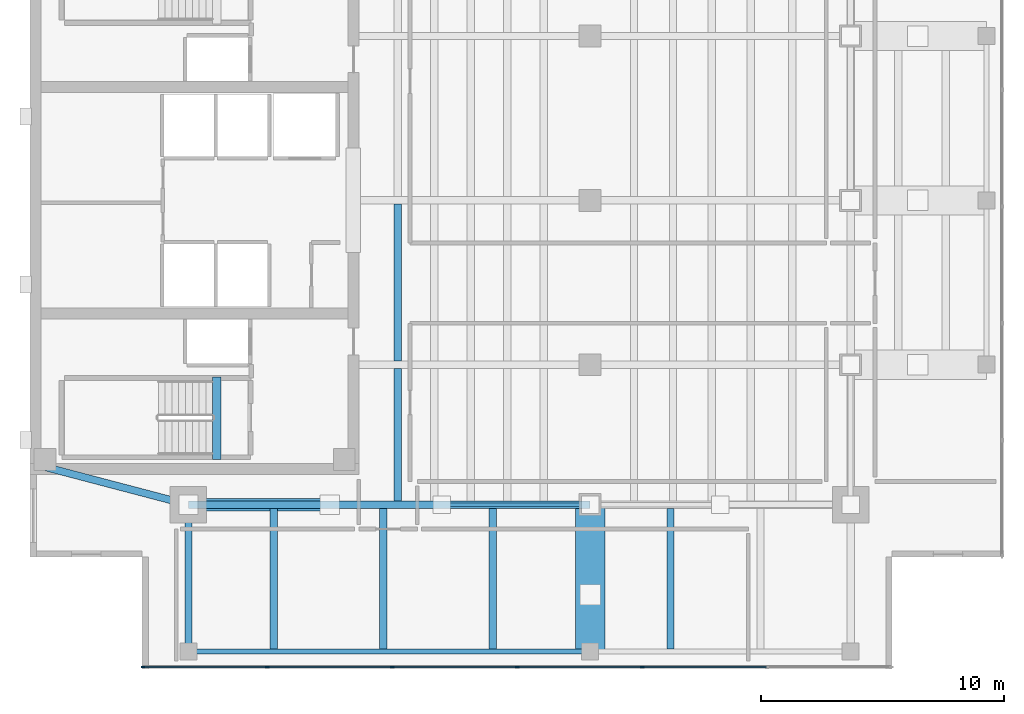
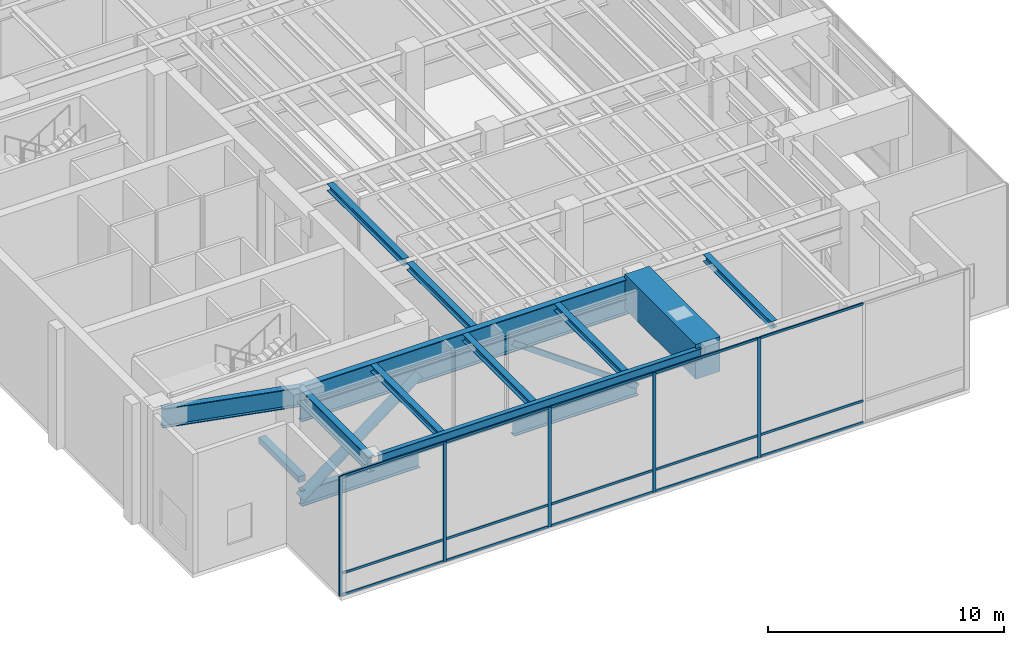
# One storey, part 2 of 11: 25 members, 12 beams, 1 element without a shape of its own.
"""IFC4 building model written with IfcOpenShell, lengths in metres."""

import ifcopenshell
import ifcopenshell.guid

model = None  # the IFC model being written
_history = None  # IfcOwnerHistory: only IFC2X3 demands one
_inside = {}  # id of a spatial element -> (the spatial element, [elements in it])
_under = {}  # id of a project, library or spatial element -> (it, [spatial elements below it])
_declared = {}  # id of a project -> (the project, [libraries it declares])
_typed = {}  # id of a type object -> (the type object, [elements of that type])
_made_of = {}  # id of a material, layer set ... -> (it, [elements and type objects made of it])


def new_model(schema):
    """Start an empty IFC model of exactly this schema.

    Asked for "IFC4X3", IfcOpenShell would pick the latest addendum, in which some entities
    have other attributes; the version numbers below select the first issue.
    IFC2X3 requires an IfcOwnerHistory on every rooted entity: one is made here for all.
    """
    global model, _history
    if schema == "IFC4X3":
        model = ifcopenshell.file(schema_version=(4, 3, 0, 0))
    else:
        model = ifcopenshell.file(schema=schema)
    _inside.clear()
    _under.clear()
    _declared.clear()
    _typed.clear()
    _made_of.clear()
    _history = None
    if model.schema == "IFC2X3":
        org = make("IfcOrganization", Name="unknown")
        user = make(
            "IfcPersonAndOrganization",
            ThePerson=make("IfcPerson", FamilyName="unknown"),
            TheOrganization=org,
        )
        app = make(
            "IfcApplication",
            ApplicationDeveloper=org,
            Version="unknown",
            ApplicationFullName="unknown",
            ApplicationIdentifier="unknown",
        )
        _history = make(
            "IfcOwnerHistory",
            OwningUser=user,
            OwningApplication=app,
            ChangeAction="ADDED",
            CreationDate=0,
        )
    return model


def make(cls, **values):
    """One entity of the class cls with the attributes given. An attribute that is None is left unset."""
    return model.create_entity(
        cls, **{name: value for name, value in values.items() if value is not None}
    )


def rooted(cls, **values):
    """An entity with a GlobalId (a new one), such as an element, a storey or a relation."""
    return make(cls, GlobalId=ifcopenshell.guid.new(), OwnerHistory=_history, **values)


def si_unit(unit_type, name, prefix=None):
    """IfcSIUnit, for example si_unit("LENGTHUNIT", "METRE", prefix="MILLI")."""
    return make("IfcSIUnit", UnitType=unit_type, Prefix=prefix, Name=name)


def assignment(units):
    """IfcUnitAssignment: the units of a project."""
    return None if units is None else make("IfcUnitAssignment", Units=units)


def point(xyz):
    """IfcCartesianPoint."""
    return None if xyz is None else make("IfcCartesianPoint", Coordinates=xyz)


def direction(xyz):
    """IfcDirection."""
    return None if xyz is None else make("IfcDirection", DirectionRatios=xyz)


def frame(location, z_axis=None, x_axis=None):
    """IfcAxis2Placement3D, a coordinate frame: its origin and axes. An axis left out is left unset."""
    return make(
        "IfcAxis2Placement3D",
        Location=point(location),
        Axis=direction(z_axis),
        RefDirection=direction(x_axis),
    )


def frame_2d(location, x_axis=None):
    """IfcAxis2Placement2D, a coordinate frame in the plane: its origin and x axis."""
    return make(
        "IfcAxis2Placement2D", Location=point(location), RefDirection=direction(x_axis)
    )


def origin():
    """The frame at (0, 0, 0) with its axes left unset."""
    return frame((0.0, 0.0, 0.0))


def origin_2d():
    """The frame at (0, 0) in the plane with its x axis left unset."""
    return frame_2d((0.0, 0.0))


def place(relative_to, where):
    """IfcLocalPlacement: puts the frame where relative to a parent placement (None: the world)."""
    return make(
        "IfcLocalPlacement", PlacementRelTo=relative_to, RelativePlacement=where
    )


def context(
    kind, dimensions, precision=None, world=None, true_north=None, identifier=None
):
    """IfcGeometricRepresentationContext, for example the 3D "Model" context."""
    return make(
        "IfcGeometricRepresentationContext",
        ContextIdentifier=identifier,
        ContextType=kind,
        CoordinateSpaceDimension=dimensions,
        Precision=precision,
        WorldCoordinateSystem=world,
        TrueNorth=true_north,
    )


def subcontext(parent, identifier, kind, view, scale=None):
    """IfcGeometricRepresentationSubContext, for example "Body" below "Model"."""
    return make(
        "IfcGeometricRepresentationSubContext",
        ContextIdentifier=identifier,
        ContextType=kind,
        ParentContext=parent,
        TargetScale=scale,
        TargetView=view,
    )


def project(units=None, contexts=None):
    """IfcProject with its units and contexts."""
    return rooted(
        "IfcProject",
        Name="project",
        RepresentationContexts=contexts,
        UnitsInContext=assignment(units),
    )


def spatial(cls, under=None, at=None, **own):
    """A site, building, storey or space (cls), placed at a placement, below another one or the project."""
    s = rooted(cls, ObjectPlacement=at, **own)
    if under is not None:
        _under.setdefault(under.id(), (under, []))[1].append(s)
    return s


def profile(cls, at=None, kind="AREA", **sizes):
    """A parametric profile (cls). Its sizes go by their IFC names, for example OverallWidth=200.0."""
    return make(cls, ProfileType=kind, Position=at, **sizes)


def rectangle(**sizes):
    """IfcRectangleProfileDef."""
    return profile("IfcRectangleProfileDef", **sizes)


def hollow_rectangle(**sizes):
    """IfcRectangleHollowProfileDef."""
    return profile("IfcRectangleHollowProfileDef", **sizes)


def hollow_circle(**sizes):
    """IfcCircleHollowProfileDef."""
    return profile("IfcCircleHollowProfileDef", **sizes)


def i_section(**sizes):
    """IfcIShapeProfileDef."""
    return profile("IfcIShapeProfileDef", **sizes)


def extrude(swept, where, along, depth):
    """IfcExtrudedAreaSolid: the profile swept, set in the frame where, extruded along a direction by depth."""
    return make(
        "IfcExtrudedAreaSolid",
        SweptArea=swept,
        Position=where,
        ExtrudedDirection=direction(along),
        Depth=depth,
    )


def shape(context_of_items, identifier, shape_type, items):
    """IfcShapeRepresentation: the items that make up one representation, for example the "Body"."""
    return make(
        "IfcShapeRepresentation",
        ContextOfItems=context_of_items,
        RepresentationIdentifier=identifier,
        RepresentationType=shape_type,
        Items=items,
    )


def material(Name=None, Category=None):
    """IfcMaterial."""
    return make("IfcMaterial", Name=Name, Category=Category)


def layer(
    of_material, thickness, ventilated=None, Name=None, Category=None, Priority=None
):
    """IfcMaterialLayer: one layer of a wall or slab, of a material (None: an air gap)."""
    return make(
        "IfcMaterialLayer",
        Material=of_material,
        LayerThickness=thickness,
        IsVentilated=ventilated,
        Name=Name,
        Category=Category,
        Priority=Priority,
    )


def layer_set(layers, Name=None):
    """IfcMaterialLayerSet."""
    return make("IfcMaterialLayerSet", MaterialLayers=layers, LayerSetName=Name)


def material_profile(
    of_material, cross_section, Name=None, Category=None, Priority=None
):
    """IfcMaterialProfile: a cross section and its material."""
    return make(
        "IfcMaterialProfile",
        Name=Name,
        Material=of_material,
        Profile=cross_section,
        Priority=Priority,
        Category=Category,
    )


def profile_set(profiles, Name=None, composite=None):
    """IfcMaterialProfileSet."""
    return make(
        "IfcMaterialProfileSet",
        Name=Name,
        MaterialProfiles=profiles,
        CompositeProfile=composite,
    )


def made_of(thing, what):
    """Note that an element or type object is made of a material, layer set ...; save() writes the relation."""
    if what is not None:
        _made_of.setdefault(what.id(), (what, []))[1].append(thing)
    return thing


def type_object(cls, material=None, **own):
    """A type object (cls), such as IfcWallType, which elements share."""
    return made_of(rooted(cls, **own), material)


def element(
    cls,
    number,
    at=None,
    inside=None,
    cuts=None,
    type_object=None,
    material=None,
    context=None,
    identifier="Body",
    shape_type=None,
    held_by="IfcProductDefinitionShape",
    body=None,
    shapes=None,
    **own,
):
    """One element of the class cls, such as IfcWall. Its Tag is "e" and its number.

    at: its placement. inside: the storey or other place that contains it. cuts: it is an
    opening in that element (IfcRelVoidsElement). A single representation is given by context,
    identifier, shape_type and body (its items); several are given by shapes. held_by: the class
    of the entity that holds the representations. save() writes the other relations.
    """
    e = rooted(cls, Tag="e%d" % number, ObjectPlacement=at, **own)
    if body is not None:
        shapes = [shape(context, identifier, shape_type, body)]
    if shapes is not None:
        e.Representation = make(held_by, Representations=shapes)
    if inside is not None:
        _inside.setdefault(inside.id(), (inside, []))[1].append(e)
    if cuts is not None:
        rooted(
            "IfcRelVoidsElement", RelatingBuildingElement=cuts, RelatedOpeningElement=e
        )
    if type_object is not None:
        _typed.setdefault(type_object.id(), (type_object, []))[1].append(e)
    return made_of(e, material)


def aggregate(whole, parts):
    """IfcRelAggregates: a whole, such as a stair, and the parts it consists of."""
    return rooted("IfcRelAggregates", RelatingObject=whole, RelatedObjects=parts)


def save(model, path):
    """Write the relations noted so far, then the file.

    IfcRelAggregates (storeys below a building ...), IfcRelContainedInSpatialStructure (elements
    in a storey), IfcRelDefinesByType, IfcRelAssociatesMaterial and IfcRelDeclares: one each for
    every whole, place, type object, material and project.
    """
    for whole, parts in _under.values():
        aggregate(whole, parts)
    for where, things in _inside.values():
        rooted(
            "IfcRelContainedInSpatialStructure",
            RelatedElements=things,
            RelatingStructure=where,
        )
    for kind, things in _typed.values():
        rooted("IfcRelDefinesByType", RelatedObjects=things, RelatingType=kind)
    for what, things in _made_of.values():
        rooted("IfcRelAssociatesMaterial", RelatedObjects=things, RelatingMaterial=what)
    for by, libraries in _declared.values():
        rooted("IfcRelDeclares", RelatingContext=by, RelatedDefinitions=libraries)
    model.write(path)


model = new_model("IFC4")

# Units and contexts
model_context = context("Model", 3, precision=1e-05, world=origin(), true_north=direction((0.0, 1.0)))
body_context = subcontext(model_context, "Body", "Model", "MODEL_VIEW")
ifc_project = project(units=[si_unit("LENGTHUNIT", "METRE"), si_unit("AREAUNIT", "SQUARE_METRE"), si_unit("VOLUMEUNIT", "CUBIC_METRE"), si_unit("PLANEANGLEUNIT", "RADIAN"), si_unit("MASSUNIT", "GRAM", prefix="KILO")], contexts=[model_context])

# Site, building, storey
site_placement = place(None, origin())
site = spatial("IfcSite", under=ifc_project, at=site_placement, CompositionType="ELEMENT")
building_placement = place(site_placement, origin())
building = spatial("IfcBuilding", under=site, at=building_placement, Name="Kinhvarn Gate Tower", CompositionType="ELEMENT")
storey_placement = place(building_placement, frame((0.0, 0.0, 296.64990234375)))
storey = spatial("IfcBuildingStorey", under=building, at=storey_placement, Name="L79", CompositionType="ELEMENT", Elevation=296.64990234375)

# Beams
ifc_material_1 = material(Name="Steel S355", Category="steel")
ifc_material_profile_1 = material_profile(ifc_material_1, i_section(OverallWidth=0.300048828125, OverallDepth=1.0, WebThickness=0.01904296875, FlangeThickness=0.035888671875, at=origin_2d()), Name="HEB 1000")
ifc_profile_set_1 = profile_set([ifc_material_profile_1], Name="Steel S355")
beam_type_1 = type_object("IfcBeamType", Name="BM-HEB1000", PredefinedType="BEAM", material=ifc_profile_set_1)
beam_1_placement = place(storey_placement, frame((11.0, 12.75, 5.7001953125), z_axis=(1.0, 0.0, 0.0), x_axis=(0.0, 1.0, 0.0)))
element("IfcBeam", 1, at=beam_1_placement, inside=storey, type_object=beam_type_1, Name="Floor Beam HG-21 (L79 MG-S1)", PredefinedType="BEAM", context=body_context, shape_type="SweptSolid", body=[
    extrude(i_section(OverallWidth=0.300048828125, OverallDepth=1.0, WebThickness=0.01904296875, FlangeThickness=0.035888671875, at=origin_2d()), origin(), (0.0, 0.0, 1.0), 16.5),
])
beam_2_placement = place(storey_placement, frame((5.10009765625, 14.300048828125, 5.7001953125), z_axis=(0.967177623957, -0.254101246979, 0.0), x_axis=(0.254101246979, 0.967177623957, 0.0)))
element("IfcBeam", 2, at=beam_2_placement, inside=storey, type_object=beam_type_1, Name="Floor Beam HG-21 (L79 MG-SW-DIAG)", PredefinedType="BEAM", context=body_context, shape_type="SweptSolid", body=[
    extrude(i_section(OverallWidth=0.300048828125, OverallDepth=1.0, WebThickness=0.01904296875, FlangeThickness=0.035888671875, at=origin_2d()), origin(), (0.0, 0.0, 1.0), 6.10009765625),
])
ifc_material_profile_2 = material_profile(ifc_material_1, i_section(OverallWidth=0.302978515625, OverallDepth=0.81396484375, WebThickness=0.02099609375, FlangeThickness=0.0400390625, at=origin_2d()), Name="HEM 800")
ifc_profile_set_2 = profile_set([ifc_material_profile_2], Name="Steel S355")
beam_type_2 = type_object("IfcBeamType", Name="BM-HEM800", PredefinedType="BEAM", material=ifc_profile_set_2)
beam_3_placement = place(storey_placement, frame((11.0, 6.719970703125, 5.793212890625), z_axis=(0.0, 1.0, 0.0), x_axis=(-1.0, 0.0, 0.0)))
element("IfcBeam", 3, at=beam_3_placement, inside=storey, type_object=beam_type_2, Name="Floor Beam HG-22 (L79 MCW-S)", PredefinedType="BEAM", context=body_context, shape_type="SweptSolid", body=[
    extrude(i_section(OverallWidth=0.302978515625, OverallDepth=0.81396484375, WebThickness=0.02099609375, FlangeThickness=0.0400390625, at=origin_2d()), origin(), (0.0, 0.0, 1.0), 6.030029296875),
])
ifc_material_2 = material(Name="Concrete C50/60", Category="concrete")
ifc_material_profile_3 = material_profile(ifc_material_2, rectangle(XDim=0.340087890625, YDim=0.320068359375, at=origin_2d()), Name="RC 340x320")
ifc_profile_set_3 = profile_set([ifc_material_profile_3], Name="Concrete C50/60")
beam_type_3 = type_object("IfcBeamType", Name="BM-LND-500", PredefinedType="BEAM", material=ifc_profile_set_3)
beam_4_placement = place(storey_placement, frame((12.1650390625, 14.60009765625, -0.159912109375), z_axis=(0.0, 1.0, 0.0), x_axis=(-1.0, 0.0, 0.0)))
element("IfcBeam", 4, at=beam_4_placement, inside=storey, type_object=beam_type_3, Name="Stair ST1 Landing Nosing Beam (L79)", PredefinedType="BEAM", context=body_context, shape_type="SweptSolid", body=[
    extrude(rectangle(XDim=0.340087890625, YDim=0.320068359375, at=origin_2d()), origin(), (0.0, 0.0, 1.0), 3.39990234375),
])
ifc_material_profile_4 = material_profile(ifc_material_2, rectangle(XDim=1.199951171875, YDim=1.800048828125, at=origin_2d()), Name="RC 1200x1800")
ifc_profile_set_4 = profile_set([ifc_material_profile_4], Name="Concrete C50/60")
beam_type_4 = type_object("IfcBeamType", Name="BM-TG-1800", PredefinedType="BEAM", material=ifc_profile_set_4)
beam_5_placement = place(storey_placement, frame((27.5, 6.719970703125, 5.5), z_axis=(0.0, 1.0, 0.0), x_axis=(-1.0, 0.0, 0.0)))
element("IfcBeam", 5, at=beam_5_placement, inside=storey, type_object=beam_type_4, Name="Setback Transfer Girder TG-03-L80-CCR-S1", PredefinedType="BEAM", context=body_context, shape_type="SweptSolid", body=[
    extrude(rectangle(XDim=1.199951171875, YDim=1.800048828125, at=origin_2d()), origin(), (0.0, 0.0, 1.0), 6.030029296875),
])

# Curtain wall, members
ifc_material_3 = material(Name="Anodised aluminium AW-6063", Category="aluminium")
ifc_layer = layer(ifc_material_3, 0.199951171875)
ifc_layer_set = layer_set([ifc_layer], Name="Anodised aluminium AW-6063")
curtain_wall_type = type_object("IfcCurtainWallType", Name="CW-SYS-6", PredefinedType="NOTDEFINED", material=ifc_layer_set)
curtain_wall_placement = place(storey_placement, origin())
curtain_wall = element("IfcCurtainWall", 6, at=curtain_wall_placement, inside=storey, type_object=curtain_wall_type, Name="Curtain Wall CW6 (L79)", PredefinedType="NOTDEFINED")
ifc_material_profile_5 = material_profile(ifc_material_3, rectangle(XDim=0.06494140625, YDim=0.159912109375, at=origin_2d()), Name="ALU 65x160")
ifc_profile_set_5 = profile_set([ifc_material_profile_5], Name="Anodised aluminium AW-6063")
member_type_1 = type_object("IfcMemberType", Name="CW-MUL-160", PredefinedType="MULLION", material=ifc_profile_set_5)
member_1_placement = place(storey_placement, frame((9.132568359375, 6.090087890625, 0.0), z_axis=(0.0, 0.0, 1.0), x_axis=(0.0, 1.0, 0.0)))
member_1 = element("IfcMember", 7, at=member_1_placement, type_object=member_type_1, Name="CW6 mullion 1", PredefinedType="MULLION", context=body_context, shape_type="SweptSolid", body=[
    extrude(rectangle(XDim=0.06494140625, YDim=0.159912109375, at=origin_2d()), origin(), (0.0, 0.0, 1.0), 6.2001953125),
])
member_2_placement = place(storey_placement, frame((14.2333984375, 6.090087890625, 0.0), z_axis=(0.0, 0.0, 1.0), x_axis=(0.0, 1.0, 0.0)))
member_2 = element("IfcMember", 8, at=member_2_placement, type_object=member_type_1, Name="CW6 mullion 2", PredefinedType="MULLION", context=body_context, shape_type="SweptSolid", body=[
    extrude(rectangle(XDim=0.06494140625, YDim=0.159912109375, at=origin_2d()), origin(), (0.0, 0.0, 1.0), 6.2001953125),
])
member_3_placement = place(storey_placement, frame((19.36669921875, 6.090087890625, 0.0), z_axis=(0.0, 0.0, 1.0), x_axis=(0.0, 1.0, 0.0)))
member_3 = element("IfcMember", 9, at=member_3_placement, type_object=member_type_1, Name="CW6 mullion 3", PredefinedType="MULLION", context=body_context, shape_type="SweptSolid", body=[
    extrude(rectangle(XDim=0.06494140625, YDim=0.159912109375, at=origin_2d()), origin(), (0.0, 0.0, 1.0), 6.2001953125),
])
member_4_placement = place(storey_placement, frame((24.5, 6.090087890625, 0.0), z_axis=(0.0, 0.0, 1.0), x_axis=(0.0, 1.0, 0.0)))
member_4 = element("IfcMember", 10, at=member_4_placement, type_object=member_type_1, Name="CW6 mullion 4", PredefinedType="MULLION", context=body_context, shape_type="SweptSolid", body=[
    extrude(rectangle(XDim=0.06494140625, YDim=0.159912109375, at=origin_2d()), origin(), (0.0, 0.0, 1.0), 6.2001953125),
])
member_5_placement = place(storey_placement, frame((29.63330078125, 6.090087890625, 0.0), z_axis=(0.0, 0.0, 1.0), x_axis=(0.0, 1.0, 0.0)))
member_5 = element("IfcMember", 11, at=member_5_placement, type_object=member_type_1, Name="CW6 mullion 5", PredefinedType="MULLION", context=body_context, shape_type="SweptSolid", body=[
    extrude(rectangle(XDim=0.06494140625, YDim=0.159912109375, at=origin_2d()), origin(), (0.0, 0.0, 1.0), 6.2001953125),
])
ifc_material_profile_6 = material_profile(ifc_material_3, rectangle(XDim=0.06494140625, YDim=0.1201171875, at=origin_2d()), Name="ALU 65x120")
ifc_profile_set_6 = profile_set([ifc_material_profile_6], Name="Anodised aluminium AW-6063")
member_type_2 = type_object("IfcMemberType", Name="CW-TRN-120", PredefinedType="USERDEFINED", material=ifc_profile_set_6)
member_6_placement = place(storey_placement, frame((9.1650390625, 6.090087890625, 0.03271484375), z_axis=(1.0, 0.0, 0.0), x_axis=(0.0, 1.0, 0.0)))
member_6 = element("IfcMember", 12, at=member_6_placement, type_object=member_type_2, Name="CW6 transom 1.1", ObjectType="TRANSOM", PredefinedType="USERDEFINED", context=body_context, shape_type="SweptSolid", body=[
    extrude(rectangle(XDim=0.06494140625, YDim=0.1201171875, at=origin_2d()), origin(), (0.0, 0.0, 1.0), 5.035888671875),
])
member_7_placement = place(storey_placement, frame((9.1650390625, 6.090087890625, 1.150146484375), z_axis=(1.0, 0.0, 0.0), x_axis=(0.0, 1.0, 0.0)))
member_7 = element("IfcMember", 13, at=member_7_placement, type_object=member_type_2, Name="CW6 transom 1.2", ObjectType="TRANSOM", PredefinedType="USERDEFINED", context=body_context, shape_type="SweptSolid", body=[
    extrude(rectangle(XDim=0.06494140625, YDim=0.1201171875, at=origin_2d()), origin(), (0.0, 0.0, 1.0), 5.035888671875),
])
member_8_placement = place(storey_placement, frame((9.1650390625, 6.090087890625, 6.16748046875), z_axis=(1.0, 0.0, 0.0), x_axis=(0.0, 1.0, 0.0)))
member_8 = element("IfcMember", 14, at=member_8_placement, type_object=member_type_2, Name="CW6 transom 1.3", ObjectType="TRANSOM", PredefinedType="USERDEFINED", context=body_context, shape_type="SweptSolid", body=[
    extrude(rectangle(XDim=0.06494140625, YDim=0.1201171875, at=origin_2d()), origin(), (0.0, 0.0, 1.0), 5.035888671875),
])
member_9_placement = place(storey_placement, frame((14.265869140625, 6.090087890625, 0.03271484375), z_axis=(1.0, 0.0, 0.0), x_axis=(0.0, 1.0, 0.0)))
member_9 = element("IfcMember", 15, at=member_9_placement, type_object=member_type_2, Name="CW6 transom 2.1", ObjectType="TRANSOM", PredefinedType="USERDEFINED", context=body_context, shape_type="SweptSolid", body=[
    extrude(rectangle(XDim=0.06494140625, YDim=0.1201171875, at=origin_2d()), origin(), (0.0, 0.0, 1.0), 5.068359375),
])
member_10_placement = place(storey_placement, frame((14.265869140625, 6.090087890625, 1.150146484375), z_axis=(1.0, 0.0, 0.0), x_axis=(0.0, 1.0, 0.0)))
member_10 = element("IfcMember", 16, at=member_10_placement, type_object=member_type_2, Name="CW6 transom 2.2", ObjectType="TRANSOM", PredefinedType="USERDEFINED", context=body_context, shape_type="SweptSolid", body=[
    extrude(rectangle(XDim=0.06494140625, YDim=0.1201171875, at=origin_2d()), origin(), (0.0, 0.0, 1.0), 5.068359375),
])
member_11_placement = place(storey_placement, frame((14.265869140625, 6.090087890625, 6.16748046875), z_axis=(1.0, 0.0, 0.0), x_axis=(0.0, 1.0, 0.0)))
member_11 = element("IfcMember", 17, at=member_11_placement, type_object=member_type_2, Name="CW6 transom 2.3", ObjectType="TRANSOM", PredefinedType="USERDEFINED", context=body_context, shape_type="SweptSolid", body=[
    extrude(rectangle(XDim=0.06494140625, YDim=0.1201171875, at=origin_2d()), origin(), (0.0, 0.0, 1.0), 5.068359375),
])
member_12_placement = place(storey_placement, frame((19.399169921875, 6.090087890625, 0.03271484375), z_axis=(1.0, 0.0, 0.0), x_axis=(0.0, 1.0, 0.0)))
member_12 = element("IfcMember", 18, at=member_12_placement, type_object=member_type_2, Name="CW6 transom 3.1", ObjectType="TRANSOM", PredefinedType="USERDEFINED", context=body_context, shape_type="SweptSolid", body=[
    extrude(rectangle(XDim=0.06494140625, YDim=0.1201171875, at=origin_2d()), origin(), (0.0, 0.0, 1.0), 5.068359375),
])
member_13_placement = place(storey_placement, frame((19.399169921875, 6.090087890625, 1.150146484375), z_axis=(1.0, 0.0, 0.0), x_axis=(0.0, 1.0, 0.0)))
member_13 = element("IfcMember", 19, at=member_13_placement, type_object=member_type_2, Name="CW6 transom 3.2", ObjectType="TRANSOM", PredefinedType="USERDEFINED", context=body_context, shape_type="SweptSolid", body=[
    extrude(rectangle(XDim=0.06494140625, YDim=0.1201171875, at=origin_2d()), origin(), (0.0, 0.0, 1.0), 5.068359375),
])
member_14_placement = place(storey_placement, frame((19.399169921875, 6.090087890625, 6.16748046875), z_axis=(1.0, 0.0, 0.0), x_axis=(0.0, 1.0, 0.0)))
member_14 = element("IfcMember", 20, at=member_14_placement, type_object=member_type_2, Name="CW6 transom 3.3", ObjectType="TRANSOM", PredefinedType="USERDEFINED", context=body_context, shape_type="SweptSolid", body=[
    extrude(rectangle(XDim=0.06494140625, YDim=0.1201171875, at=origin_2d()), origin(), (0.0, 0.0, 1.0), 5.068359375),
])
member_15_placement = place(storey_placement, frame((24.532470703125, 6.090087890625, 0.03271484375), z_axis=(1.0, 0.0, 0.0), x_axis=(0.0, 1.0, 0.0)))
member_15 = element("IfcMember", 21, at=member_15_placement, type_object=member_type_2, Name="CW6 transom 4.1", ObjectType="TRANSOM", PredefinedType="USERDEFINED", context=body_context, shape_type="SweptSolid", body=[
    extrude(rectangle(XDim=0.06494140625, YDim=0.1201171875, at=origin_2d()), origin(), (0.0, 0.0, 1.0), 5.068359375),
])
member_16_placement = place(storey_placement, frame((24.532470703125, 6.090087890625, 1.150146484375), z_axis=(1.0, 0.0, 0.0), x_axis=(0.0, 1.0, 0.0)))
member_16 = element("IfcMember", 22, at=member_16_placement, type_object=member_type_2, Name="CW6 transom 4.2", ObjectType="TRANSOM", PredefinedType="USERDEFINED", context=body_context, shape_type="SweptSolid", body=[
    extrude(rectangle(XDim=0.06494140625, YDim=0.1201171875, at=origin_2d()), origin(), (0.0, 0.0, 1.0), 5.068359375),
])
member_17_placement = place(storey_placement, frame((24.532470703125, 6.090087890625, 6.16748046875), z_axis=(1.0, 0.0, 0.0), x_axis=(0.0, 1.0, 0.0)))
member_17 = element("IfcMember", 23, at=member_17_placement, type_object=member_type_2, Name="CW6 transom 4.3", ObjectType="TRANSOM", PredefinedType="USERDEFINED", context=body_context, shape_type="SweptSolid", body=[
    extrude(rectangle(XDim=0.06494140625, YDim=0.1201171875, at=origin_2d()), origin(), (0.0, 0.0, 1.0), 5.068359375),
])
member_18_placement = place(storey_placement, frame((29.665771484375, 6.090087890625, 0.03271484375), z_axis=(1.0, 0.0, 0.0), x_axis=(0.0, 1.0, 0.0)))
member_18 = element("IfcMember", 24, at=member_18_placement, type_object=member_type_2, Name="CW6 transom 5.1", ObjectType="TRANSOM", PredefinedType="USERDEFINED", context=body_context, shape_type="SweptSolid", body=[
    extrude(rectangle(XDim=0.06494140625, YDim=0.1201171875, at=origin_2d()), origin(), (0.0, 0.0, 1.0), 5.068359375),
])
member_19_placement = place(storey_placement, frame((29.665771484375, 6.090087890625, 1.150146484375), z_axis=(1.0, 0.0, 0.0), x_axis=(0.0, 1.0, 0.0)))
member_19 = element("IfcMember", 25, at=member_19_placement, type_object=member_type_2, Name="CW6 transom 5.2", ObjectType="TRANSOM", PredefinedType="USERDEFINED", context=body_context, shape_type="SweptSolid", body=[
    extrude(rectangle(XDim=0.06494140625, YDim=0.1201171875, at=origin_2d()), origin(), (0.0, 0.0, 1.0), 5.068359375),
])
member_20_placement = place(storey_placement, frame((29.665771484375, 6.090087890625, 6.16748046875), z_axis=(1.0, 0.0, 0.0), x_axis=(0.0, 1.0, 0.0)))
member_20 = element("IfcMember", 26, at=member_20_placement, type_object=member_type_2, Name="CW6 transom 5.3", ObjectType="TRANSOM", PredefinedType="USERDEFINED", context=body_context, shape_type="SweptSolid", body=[
    extrude(rectangle(XDim=0.06494140625, YDim=0.1201171875, at=origin_2d()), origin(), (0.0, 0.0, 1.0), 5.068359375),
])
aggregate(curtain_wall, [member_1, member_2, member_3, member_4, member_5, member_6, member_7, member_8, member_9, member_10, member_11, member_12, member_13, member_14, member_15, member_16, member_17, member_18, member_19, member_20])

# Members
ifc_material_profile_7 = material_profile(ifc_material_1, hollow_circle(Radius=0.25390625, WallThickness=0.02490234375, at=origin_2d()), Name="CHS 508x25")
ifc_profile_set_7 = profile_set([ifc_material_profile_7], Name="Steel S355")
member_type_3 = type_object("IfcMemberType", Name="MBR-CHS508x25", PredefinedType="STRUT", material=ifc_profile_set_7)
member_21_placement = place(storey_placement, frame((11.0, 12.75, 0.406982421875), z_axis=(0.797604570985, 0.0, 0.603180692946), x_axis=(0.0, 1.0, 0.0)))
element("IfcMember", 27, at=member_21_placement, inside=storey, type_object=member_type_3, Name="Outrigger Truss Diagonal SR-16 (CHS 508x25)", PredefinedType="STRUT", context=body_context, shape_type="SweptSolid", body=[
    extrude(hollow_circle(Radius=0.25390625, WallThickness=0.02490234375, at=origin_2d()), origin(), (0.0, 0.0, 1.0), 7.271728515625),
])
ifc_material_profile_8 = material_profile(ifc_material_1, hollow_rectangle(XDim=0.14990234375, YDim=0.25, WallThickness=0.011962890625, at=origin_2d()), Name="RHS 250x150x12")
ifc_profile_set_8 = profile_set([ifc_material_profile_8], Name="Steel S355")
member_type_4 = type_object("IfcMemberType", Name="MBR-RHS250x150x12", PredefinedType="BRACE", material=ifc_profile_set_8)
member_22_placement = place(storey_placement, frame((21.39990234375, 12.75, 4.793212890625), z_axis=(0.811902745566, 0.0, -0.583792712992), x_axis=(0.0, 1.0, 0.0)))
element("IfcMember", 28, at=member_22_placement, inside=storey, type_object=member_type_4, Name="Outrigger Truss Diagonal BR-01 (RHS 250x150x12)", PredefinedType="BRACE", context=body_context, shape_type="SweptSolid", body=[
    extrude(hollow_rectangle(XDim=0.14990234375, YDim=0.25, WallThickness=0.011962890625, at=origin_2d()), origin(), (0.0, 0.0, 1.0), 7.513427734375),
])

# Beams
ifc_material_profile_9 = material_profile(ifc_material_1, i_section(OverallWidth=0.300048828125, OverallDepth=0.360107421875, WebThickness=0.012451171875, FlangeThickness=0.0224609375, at=origin_2d()), Name="HEB 360")
ifc_profile_set_9 = profile_set([ifc_material_profile_9], Name="Steel S355")
beam_type_5 = type_object("IfcBeamType", Name="STL-HEB360", PredefinedType="BEAM", material=ifc_profile_set_9)
beam_6_placement = place(storey_placement, frame((19.60009765625, 12.89990234375, 6.02001953125), z_axis=(0.0, 1.0, 0.0), x_axis=(-1.0, 0.0, 0.0)))
element("IfcBeam", 29, at=beam_6_placement, inside=storey, type_object=beam_type_5, Name="Floor Beam PG-11 (L79 JC-X196-0)", PredefinedType="BEAM", context=body_context, shape_type="SweptSolid", body=[
    extrude(i_section(OverallWidth=0.300048828125, OverallDepth=0.360107421875, WebThickness=0.012451171875, FlangeThickness=0.0224609375, at=origin_2d()), origin(), (0.0, 0.0, 1.0), 5.4501953125),
])
beam_7_placement = place(storey_placement, frame((19.60009765625, 18.64990234375, 6.02001953125), z_axis=(0.0, 1.0, 0.0), x_axis=(-1.0, 0.0, 0.0)))
element("IfcBeam", 30, at=beam_7_placement, inside=storey, type_object=beam_type_5, Name="Floor Beam PG-11 (L79 JC-X196-1)", PredefinedType="BEAM", context=body_context, shape_type="SweptSolid", body=[
    extrude(i_section(OverallWidth=0.300048828125, OverallDepth=0.360107421875, WebThickness=0.012451171875, FlangeThickness=0.0224609375, at=origin_2d()), origin(), (0.0, 0.0, 1.0), 6.4501953125),
])
for number, where, z_axis, x_axis, name in (
    (31, (14.5, 6.830078125, 6.02001953125), (0.0, 1.0, 0.0), (-1.0, 0.0, 0.0), "Floor Beam PG-11 (L79 JS-X145)"),
    (32, (19.0, 6.830078125, 6.02001953125), (0.0, 1.0, 0.0), (-1.0, 0.0, 0.0), "Floor Beam PG-11 (L79 JS-X190)"),
    (33, (23.5, 6.830078125, 6.02001953125), (0.0, 1.0, 0.0), (-1.0, 0.0, 0.0), "Floor Beam PG-11 (L79 JS-X235)"),
    (34, (30.800048828125, 6.830078125, 6.02001953125), (0.0, 1.0, 0.0), (-1.0, 0.0, 0.0), "Floor Beam PG-11 (L79 JS-X308)"),
):
    element("IfcBeam", number, at=place(storey_placement, frame(where, z_axis=z_axis, x_axis=x_axis)), inside=storey, type_object=beam_type_5, Name=name, PredefinedType="BEAM", context=body_context, shape_type="SweptSolid", body=[
        extrude(i_section(OverallWidth=0.300048828125, OverallDepth=0.360107421875, WebThickness=0.012451171875, FlangeThickness=0.0224609375, at=origin_2d()), origin(), (0.0, 0.0, 1.0), 5.77001953125),
    ])

# Members
ifc_material_profile_10 = material_profile(ifc_material_1, i_section(OverallWidth=0.302978515625, OverallDepth=0.81396484375, WebThickness=0.02099609375, FlangeThickness=0.0400390625, at=origin_2d()), Name="HEM 800")
ifc_profile_set_10 = profile_set([ifc_material_profile_10], Name="Steel S355")
member_type_5 = type_object("IfcMemberType", Name="STL-HEM800", PredefinedType="CHORD", material=ifc_profile_set_10)
member_23_placement = place(storey_placement, frame((11.0, 12.75, 0.406982421875), z_axis=(1.0, 0.0, 0.0), x_axis=(0.0, 1.0, 0.0)))
element("IfcMember", 35, at=member_23_placement, inside=storey, type_object=member_type_5, Name="Outrigger Belt Chord BC-22 (L79 OUT-S1A-BOT)", PredefinedType="CHORD", context=body_context, shape_type="SweptSolid", body=[
    extrude(i_section(OverallWidth=0.302978515625, OverallDepth=0.81396484375, WebThickness=0.02099609375, FlangeThickness=0.0400390625, at=origin_2d()), origin(), (0.0, 0.0, 1.0), 5.800048828125),
])
member_24_placement = place(storey_placement, frame((21.39990234375, 12.75, 0.406982421875), z_axis=(1.0, 0.0, 0.0), x_axis=(0.0, 1.0, 0.0)))
element("IfcMember", 36, at=member_24_placement, inside=storey, type_object=member_type_5, Name="Outrigger Belt Chord BC-22 (L79 OUT-S1B-BOT)", PredefinedType="CHORD", context=body_context, shape_type="SweptSolid", body=[
    extrude(i_section(OverallWidth=0.302978515625, OverallDepth=0.81396484375, WebThickness=0.02099609375, FlangeThickness=0.0400390625, at=origin_2d()), origin(), (0.0, 0.0, 1.0), 6.10009765625),
])
member_25_placement = place(storey_placement, frame((11.0, 12.75, 4.793212890625), z_axis=(1.0, 0.0, 0.0), x_axis=(0.0, 1.0, 0.0)))
element("IfcMember", 37, at=member_25_placement, inside=storey, type_object=member_type_5, Name="Outrigger Belt Chord BC-22 (L79 OUT-S1-TOP)", PredefinedType="CHORD", context=body_context, shape_type="SweptSolid", body=[
    extrude(i_section(OverallWidth=0.302978515625, OverallDepth=0.81396484375, WebThickness=0.02099609375, FlangeThickness=0.0400390625, at=origin_2d()), origin(), (0.0, 0.0, 1.0), 16.5),
])

# Beam
ifc_material_profile_11 = material_profile(ifc_material_1, i_section(OverallWidth=0.219970703125, OverallDepth=0.60009765625, WebThickness=0.011962890625, FlangeThickness=0.01904296875, at=origin_2d()), Name="IPE 600")
ifc_profile_set_11 = profile_set([ifc_material_profile_11], Name="Steel S355")
beam_type_6 = type_object("IfcBeamType", Name="STL-IPE600", PredefinedType="SPANDREL", material=ifc_profile_set_11)
beam_8_placement = place(storey_placement, frame((11.3349609375, 6.719970703125, 5.900146484375), z_axis=(1.0, 0.0, 0.0), x_axis=(0.0, 1.0, 0.0)))
element("IfcBeam", 38, at=beam_8_placement, inside=storey, type_object=beam_type_6, Name="Floor Spandrel SB-09 (L79 SP-S1)", PredefinedType="SPANDREL", context=body_context, shape_type="SweptSolid", body=[
    extrude(i_section(OverallWidth=0.219970703125, OverallDepth=0.60009765625, WebThickness=0.011962890625, FlangeThickness=0.01904296875, at=origin_2d()), origin(), (0.0, 0.0, 1.0), 15.830078125),
])

save(model, "model.ifc")
